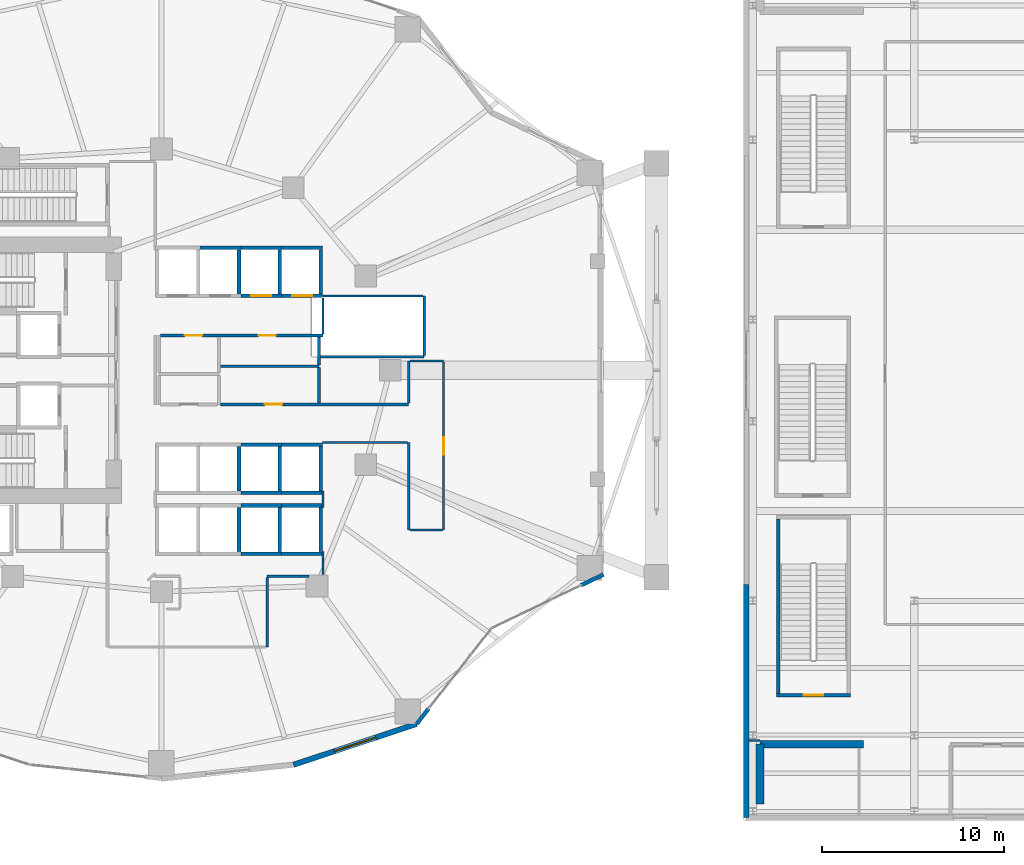
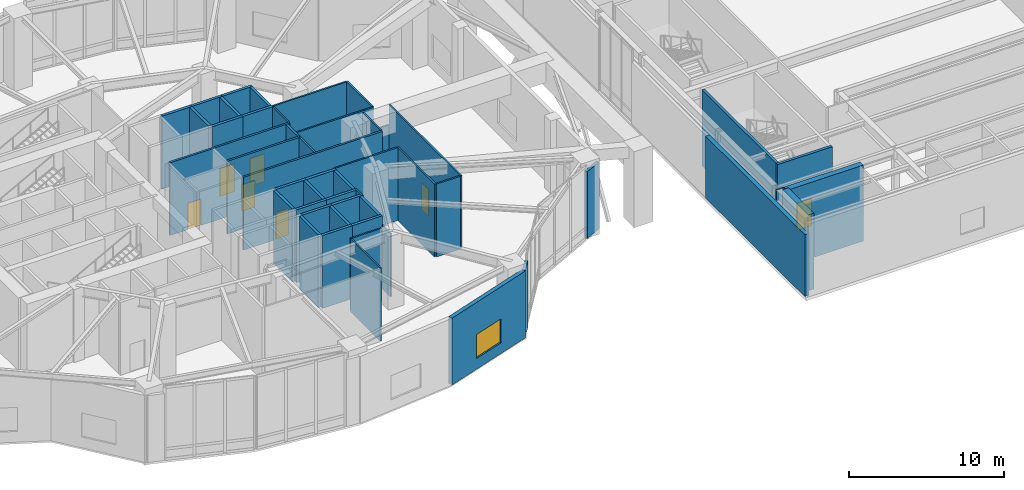
# One storey, part 17 of 25: 50 walls, 7 doors, 1 window, 8 openings.
"""IFC4 building model written with IfcOpenShell, lengths in metres."""

from ifc_helpers import new_model, si_unit, direction, frame, frame_2d, origin, place, context, subcontext, project, spatial, rectangle, extrude, material, layer, layer_set, type_object, element, fill, save


model = new_model("IFC4")

# Units and contexts
model_context = context("Model", 3, precision=1e-05, world=origin(), true_north=direction((0.0, 1.0)))
body_context = subcontext(model_context, "Body", "Model", "MODEL_VIEW")
ifc_project = project(units=[si_unit("LENGTHUNIT", "METRE"), si_unit("AREAUNIT", "SQUARE_METRE"), si_unit("VOLUMEUNIT", "CUBIC_METRE"), si_unit("PLANEANGLEUNIT", "RADIAN"), si_unit("MASSUNIT", "GRAM", prefix="KILO")], contexts=[model_context])

# Site, building, storey
site_placement = place(None, origin())
site = spatial("IfcSite", under=ifc_project, at=site_placement, CompositionType="ELEMENT")
building_placement = place(site_placement, origin())
building = spatial("IfcBuilding", under=site, at=building_placement, Name="Kolvaren Gate Tower and Convention Centre", CompositionType="ELEMENT")
storey_placement = place(building_placement, frame((0.0, 0.0, 15.0)))
storey = spatial("IfcBuildingStorey", under=building, at=storey_placement, Name="L03", CompositionType="ELEMENT", Elevation=15.0)

# Walls
ifc_material_1 = material(Name="Fire-Rated Acoustic Gypsum Stud Partition", Category="gypsum")
ifc_layer_1 = layer(ifc_material_1, 0.1201171875)
ifc_layer_set_1 = layer_set([ifc_layer_1], Name="Fire-Rated Acoustic Gypsum Stud Partition")
wall_type_1 = type_object("IfcWallType", Name="ARCH-WL-PART-120", PredefinedType="PARTITIONING", material=ifc_layer_set_1)
wall_1_placement = place(storey_placement, frame((35.949951171875, 15.64990234375, 0.0), z_axis=(0.0, 0.0, 1.0), x_axis=(1.0, 0.0, 0.0)))
element("IfcWall", 1, at=wall_1_placement, inside=storey, type_object=wall_type_1, Name="Interior Partition WL-L03-INT-023", PredefinedType="PARTITIONING", context=body_context, shape_type="SweptSolid", body=[
    extrude(rectangle(XDim=2.291015625, YDim=0.1201171875, at=frame_2d((1.1455078125, 0.0))), origin(), (0.0, 0.0, 1.0), 5.760009765625),
])
wall_2_placement = place(storey_placement, frame((35.949951171875, 11.75, 0.0), z_axis=(0.0, 0.0, 1.0), x_axis=(0.0, 1.0, 0.0)))
element("IfcWall", 2, at=wall_2_placement, inside=storey, type_object=wall_type_1, Name="Interior Partition WL-L03-INT-024", PredefinedType="PARTITIONING", context=body_context, shape_type="SweptSolid", body=[
    extrude(rectangle(XDim=3.837890625, YDim=0.1201171875, at=frame_2d((1.9189453125, 0.0))), origin(), (0.0, 0.0, 1.0), 5.760009765625),
])
wall_3_placement = place(storey_placement, frame((39.02001953125, 15.741943359375, 0.0), z_axis=(0.0, 0.0, 1.0), x_axis=(0.0, 1.0, 0.0)))
element("IfcWall", 3, at=wall_3_placement, inside=storey, type_object=wall_type_1, Name="Interior Partition WL-L03-INT-031", PredefinedType="PARTITIONING", context=body_context, shape_type="SweptSolid", body=[
    extrude(rectangle(XDim=1.26806640625, YDim=0.1201171875, at=frame_2d((0.634033203125, 0.0))), origin(), (0.0, 0.0, 1.0), 4.993896484375),
])
wall_4_placement = place(storey_placement, frame((39.02001953125, 19.43994140625, 0.0), z_axis=(0.0, 0.0, 1.0), x_axis=(0.0, 1.0, 0.0)))
element("IfcWall", 4, at=wall_4_placement, inside=storey, type_object=wall_type_1, Name="Interior Partition WL-L03-INT-031 (2)", PredefinedType="PARTITIONING", context=body_context, shape_type="SweptSolid", body=[
    extrude(rectangle(XDim=0.920166015625, YDim=0.1201171875, at=frame_2d((0.4599609375, 0.0))), origin(), (0.0, 0.0, 1.0), 5.760009765625),
])
wall_5_placement = place(storey_placement, frame((39.02001953125, 28.9970703125, 0.0), z_axis=(0.0, 0.0, 1.0), x_axis=(0.0, 1.0, 0.0)))
element("IfcWall", 5, at=wall_5_placement, inside=storey, type_object=wall_type_1, Name="Interior Partition WL-L03-INT-032", PredefinedType="PARTITIONING", context=body_context, shape_type="SweptSolid", body=[
    extrude(rectangle(XDim=1.98291015625, YDim=0.1201171875, at=frame_2d((0.991455078125, 0.0))), origin(), (0.0, 0.0, 1.0), 5.760009765625),
])
wall_6_placement = place(storey_placement, frame((43.75, 18.199951171875, 0.0), z_axis=(0.0, 0.0, 1.0), x_axis=(0.0, 1.0, 0.0)))
element("IfcWall", 6, at=wall_6_placement, inside=storey, type_object=wall_type_1, Name="Interior Partition WL-L03-INT-033", PredefinedType="PARTITIONING", context=body_context, shape_type="SweptSolid", body=[
    extrude(rectangle(XDim=4.820068359375, YDim=0.1201171875, at=frame_2d((2.41015625, 0.0))), origin(), (0.0, 0.0, 1.0), 5.760009765625),
])
wall_7_placement = place(storey_placement, frame((43.75, 25.197021484375, 0.0), z_axis=(0.0, 0.0, 1.0), x_axis=(0.0, 1.0, 0.0)))
element("IfcWall", 7, at=wall_7_placement, inside=storey, type_object=wall_type_1, Name="Interior Partition WL-L03-INT-034", PredefinedType="PARTITIONING", context=body_context, shape_type="SweptSolid", body=[
    extrude(rectangle(XDim=2.31298828125, YDim=0.1201171875, at=frame_2d((1.156494140625, 0.0))), origin(), (0.0, 0.0, 1.0), 5.760009765625),
])
wall_8_placement = place(storey_placement, frame((43.81201171875, 27.510009765625, 0.0), z_axis=(0.0, 0.0, 1.0), x_axis=(1.0, 0.0, 0.0)))
element("IfcWall", 8, at=wall_8_placement, inside=storey, type_object=wall_type_1, Name="Interior Partition WL-L03-INT-035", PredefinedType="PARTITIONING", context=body_context, shape_type="SweptSolid", body=[
    extrude(rectangle(XDim=1.85791015625, YDim=0.1201171875, at=frame_2d((0.928955078125, 0.0))), origin(), (0.0, 0.0, 1.0), 4.152099609375),
])

# Wall, opening, door
wall_9_placement = place(storey_placement, frame((45.669921875, 18.199951171875, 0.0), z_axis=(0.0, 0.0, 1.0), x_axis=(0.0, 1.0, 0.0)))
wall_9 = element("IfcWall", 9, at=wall_9_placement, inside=storey, type_object=wall_type_1, Name="Interior Partition WL-L03-INT-036", PredefinedType="PARTITIONING", context=body_context, shape_type="SweptSolid", body=[
    extrude(rectangle(XDim=9.248046875, YDim=0.1201171875, at=frame_2d((4.6240234375, 0.0))), origin(), (0.0, 0.0, 1.0), 5.760009765625),
])
opening_1_placement = place(wall_9_placement, frame((4.14892578125, 0.0, 0.0)))
opening_1 = element("IfcOpeningElement", 10, at=opening_1_placement, cuts=wall_9, Name="Opening DR-01", PredefinedType="OPENING", context=body_context, shape_type="SweptSolid", body=[
    extrude(rectangle(XDim=0.949951171875, YDim=2.10009765625, at=frame_2d((0.47509765625, 1.050048828125))), frame((0.0, 0.070068359375, 0.0), z_axis=(0.0, -1.0, 0.0), x_axis=(1.0, 0.0, 0.0)), (0.0, 0.0, 1.0), 0.14013671875),
])
ifc_material_2 = material(Name="Painted Architectural Steelwork ASTM A500 Grade C 345 MPa", Category="steel")
door_type_1 = type_object("IfcDoorType", Name="ARCH-DR-RISER-950", OperationType="SINGLE_SWING_RIGHT", PredefinedType="DOOR", material=ifc_material_2)
door_1_placement = place(opening_1_placement, origin())
door_1 = element("IfcDoor", 11, at=door_1_placement, inside=storey, type_object=door_type_1, Name="Tower Podium Conference Room A Door", OperationType="SINGLE_SWING_RIGHT", OverallHeight=2.10009765625, OverallWidth=0.949951171875, PredefinedType="DOOR", context=body_context, shape_type="SweptSolid", body=[
    extrude(rectangle(XDim=0.949951171875, YDim=2.10009765625, at=frame_2d((0.47509765625, 1.050048828125))), frame((0.0, 0.02490234375, 0.0), z_axis=(0.0, -1.0, 0.0), x_axis=(1.0, 0.0, 0.0)), (0.0, 0.0, 1.0), 0.050048828125),
])
fill(opening_1, door_1)

# Walls
wall_10_placement = place(storey_placement, frame((43.81201171875, 18.199951171875, 0.0), z_axis=(0.0, 0.0, 1.0), x_axis=(1.0, 0.0, 0.0)))
element("IfcWall", 12, at=wall_10_placement, inside=storey, type_object=wall_type_1, Name="Interior Partition WL-L03-INT-037", PredefinedType="PARTITIONING", context=body_context, shape_type="SweptSolid", body=[
    extrude(rectangle(XDim=1.7958984375, YDim=0.1201171875, at=frame_2d((0.89794921875, 0.0))), origin(), (0.0, 0.0, 1.0), 5.760009765625),
])
wall_11_placement = place(storey_placement, frame((39.0, 23.02001953125, 0.0), z_axis=(0.0, 0.0, 1.0), x_axis=(1.0, 0.0, 0.0)))
element("IfcWall", 13, at=wall_11_placement, inside=storey, type_object=wall_type_1, Name="Interior Partition WL-L03-INT-038", PredefinedType="PARTITIONING", context=body_context, shape_type="SweptSolid", body=[
    extrude(rectangle(XDim=4.68798828125, YDim=0.1201171875, at=frame_2d((2.343994140625, 0.0))), origin(), (0.0, 0.0, 1.0), 5.760009765625),
])
wall_12_placement = place(storey_placement, frame((38.876953125, 27.75, 0.0), z_axis=(0.0, 0.0, 1.0), x_axis=(1.0, 0.0, 0.0)))
element("IfcWall", 14, at=wall_12_placement, inside=storey, type_object=wall_type_1, Name="Interior Partition WL-L03-INT-042", PredefinedType="PARTITIONING", context=body_context, shape_type="SweptSolid", body=[
    extrude(rectangle(XDim=5.72314453125, YDim=0.1201171875, at=frame_2d((2.861572265625, 0.0))), origin(), (0.0, 0.0, 1.0), 5.760009765625),
])
wall_13_placement = place(storey_placement, frame((44.60009765625, 27.81201171875, 0.0), z_axis=(0.0, 0.0, 1.0), x_axis=(0.0, 1.0, 0.0)))
element("IfcWall", 15, at=wall_13_placement, inside=storey, type_object=wall_type_1, Name="Interior Partition WL-L03-INT-043", PredefinedType="PARTITIONING", context=body_context, shape_type="SweptSolid", body=[
    extrude(rectangle(XDim=3.2880859375, YDim=0.1201171875, at=frame_2d((1.64404296875, 0.0))), origin(), (0.0, 0.0, 1.0), 5.760009765625),
])
wall_14_placement = place(storey_placement, frame((39.02001953125, 31.10009765625, 0.0), z_axis=(0.0, 0.0, 1.0), x_axis=(1.0, 0.0, 0.0)))
element("IfcWall", 16, at=wall_14_placement, inside=storey, type_object=wall_type_1, Name="Interior Partition WL-L03-INT-044", PredefinedType="PARTITIONING", context=body_context, shape_type="SweptSolid", body=[
    extrude(rectangle(XDim=5.51806640625, YDim=0.1201171875, at=frame_2d((2.759033203125, 0.0))), origin(), (0.0, 0.0, 1.0), 5.760009765625),
])
wall_15_placement = place(storey_placement, frame((62.501953125, 6.60009765625, 0.0), z_axis=(0.0, 0.0, 1.0), x_axis=(1.0, 0.0, 0.0)))
element("IfcWall", 17, at=wall_15_placement, inside=storey, type_object=wall_type_1, Name="Interior Partition WL-L03-INT-045", PredefinedType="PARTITIONING", context=body_context, shape_type="SweptSolid", body=[
    extrude(rectangle(XDim=0.59814453125, YDim=0.1201171875, at=frame_2d((0.299072265625, 0.0))), origin(), (0.0, 0.0, 1.0), 5.760009765625),
])
ifc_material_3 = material(Name="Bogota Sabana Bush-Hammered Sandstone Cladding", Category="masonry")
ifc_layer_2 = layer(ifc_material_3, 0.219970703125)
ifc_layer_set_2 = layer_set([ifc_layer_2], Name="Bogota Sabana Bush-Hammered Sandstone Cladding")
wall_type_2 = type_object("IfcWallType", Name="ARCH-WL-PIER-220", PredefinedType="SOLIDWALL", material=ifc_layer_set_2)
wall_16_placement = place(storey_placement, frame((44.1875, 7.514404296875, 0.0), z_axis=(0.0, 0.0, 1.0), x_axis=(0.616387780378, 0.787442762492, 0.0)))
element("IfcWall", 18, at=wall_16_placement, inside=storey, type_object=wall_type_2, Name="Tower L03 Unitised Curtain Wall CW-POD-GLZ Bay 20 Left Column Pier Wrap", PredefinedType="SOLIDWALL", context=body_context, shape_type="SweptSolid", body=[
    extrude(rectangle(XDim=1.076171875, YDim=0.219970703125, at=frame_2d((0.5380859375, 0.0))), origin(), (0.0, 0.0, 1.0), 5.282958984375),
])
wall_17_placement = place(storey_placement, frame((53.23681640625, 15.151611328125, 0.0), z_axis=(0.0, 0.0, 1.0), x_axis=(0.901316119915, 0.433161923512, 0.0)))
element("IfcWall", 19, at=wall_17_placement, inside=storey, type_object=wall_type_2, Name="Tower L03 Unitised Curtain Wall CW-POD-GLZ Bay 21 Right Column Pier Wrap", PredefinedType="SOLIDWALL", context=body_context, shape_type="SweptSolid", body=[
    extrude(rectangle(XDim=1.38134765625, YDim=0.219970703125, at=frame_2d((0.690673828125, 0.0))), origin(), (0.0, 0.0, 1.0), 5.282958984375),
])
ifc_material_4 = material(Name="Autoclaved Aerated Masonry Blockwork Class 4 (4.0 MPa)", Category="masonry")
ifc_layer_3 = layer(ifc_material_4, 0.199951171875)
ifc_layer_set_3 = layer_set([ifc_layer_3], Name="Autoclaved Aerated Masonry Blockwork Class 4 (4.0 MPa)")
wall_type_3 = type_object("IfcWallType", Name="ARCH-WL-SHAFT-200", PredefinedType="SOLIDWALL", material=ifc_layer_set_3)
wall_18_placement = place(storey_placement, frame((32.25, 33.75, 0.0), z_axis=(0.0, 0.0, 1.0), x_axis=(1.0, 0.0, 0.0)))
element("IfcWall", 20, at=wall_18_placement, inside=storey, type_object=wall_type_3, Name="Elevator PL-02 L03 Fire Shaft Wall N", PredefinedType="SOLIDWALL", context=body_context, shape_type="SweptSolid", body=[
    extrude(rectangle(XDim=2.25, YDim=0.199951171875, at=frame_2d((1.125, 0.0))), origin(), (0.0, 0.0, 1.0), 5.760009765625),
])
wall_19_placement = place(storey_placement, frame((34.39990234375, 31.2099609375, 0.0), z_axis=(0.0, 0.0, 1.0), x_axis=(0.0, 1.0, 0.0)))
element("IfcWall", 21, at=wall_19_placement, inside=storey, type_object=wall_type_3, Name="Elevator PL-02 L03 Fire Shaft Wall E", PredefinedType="SOLIDWALL", context=body_context, shape_type="SweptSolid", body=[
    extrude(rectangle(XDim=2.429931640625, YDim=0.199951171875, at=frame_2d((1.21484375, 0.0))), origin(), (0.0, 0.0, 1.0), 5.760009765625),
])
wall_20_placement = place(storey_placement, frame((34.5, 33.75, 0.0), z_axis=(0.0, 0.0, 1.0), x_axis=(1.0, 0.0, 0.0)))
element("IfcWall", 22, at=wall_20_placement, inside=storey, type_object=wall_type_3, Name="Elevator PL-03 L03 Fire Shaft Wall N", PredefinedType="SOLIDWALL", context=body_context, shape_type="SweptSolid", body=[
    extrude(rectangle(XDim=2.25, YDim=0.199951171875, at=frame_2d((1.125, 0.0))), origin(), (0.0, 0.0, 1.0), 5.760009765625),
])

# Wall, opening, door
wall_21_placement = place(storey_placement, frame((34.5, 31.10009765625, 0.0), z_axis=(0.0, 0.0, 1.0), x_axis=(1.0, 0.0, 0.0)))
wall_21 = element("IfcWall", 23, at=wall_21_placement, inside=storey, type_object=wall_type_3, Name="Elevator PL-03 L03 Fire Shaft Wall S", PredefinedType="SOLIDWALL", context=body_context, shape_type="SweptSolid", body=[
    extrude(rectangle(XDim=2.25, YDim=0.199951171875, at=frame_2d((1.125, 0.0))), origin(), (0.0, 0.0, 1.0), 5.760009765625),
])
opening_2_placement = place(wall_21_placement, frame((0.574951171875, 0.0, 0.0)))
opening_2 = element("IfcOpeningElement", 24, at=opening_2_placement, cuts=wall_21, Name="Opening LD", PredefinedType="OPENING", context=body_context, shape_type="SweptSolid", body=[
    extrude(rectangle(XDim=1.10009765625, YDim=2.199951171875, at=frame_2d((0.550048828125, 1.10009765625))), frame((0.0, 0.10986328125, 0.0), z_axis=(0.0, -1.0, 0.0), x_axis=(1.0, 0.0, 0.0)), (0.0, 0.0, 1.0), 0.219970703125),
])
ifc_material_5 = material(Name="Brushed Stainless Steel Grade 316L", Category="steel")
door_type_2 = type_object("IfcDoorType", Name="ARCH-DR-LIFT-1100", OperationType="SLIDING_TO_LEFT", PredefinedType="DOOR", material=ifc_material_5)
door_2_placement = place(opening_2_placement, origin())
door_2 = element("IfcDoor", 25, at=door_2_placement, inside=storey, type_object=door_type_2, Name="Elevator PL-03 L03 Sliding Landing Door", OperationType="SLIDING_TO_LEFT", OverallHeight=2.199951171875, OverallWidth=1.10009765625, PredefinedType="DOOR", context=body_context, shape_type="SweptSolid", body=[
    extrude(rectangle(XDim=1.10009765625, YDim=2.199951171875, at=frame_2d((0.550048828125, 1.10009765625))), frame((0.0, 0.02490234375, 0.0), z_axis=(0.0, -1.0, 0.0), x_axis=(1.0, 0.0, 0.0)), (0.0, 0.0, 1.0), 0.050048828125),
])
fill(opening_2, door_2)

# Walls
wall_22_placement = place(storey_placement, frame((36.64990234375, 31.2099609375, 0.0), z_axis=(0.0, 0.0, 1.0), x_axis=(0.0, 1.0, 0.0)))
element("IfcWall", 26, at=wall_22_placement, inside=storey, type_object=wall_type_3, Name="Elevator PL-03 L03 Fire Shaft Wall E", PredefinedType="SOLIDWALL", context=body_context, shape_type="SweptSolid", body=[
    extrude(rectangle(XDim=2.429931640625, YDim=0.199951171875, at=frame_2d((1.21484375, 0.0))), origin(), (0.0, 0.0, 1.0), 5.760009765625),
])
wall_23_placement = place(storey_placement, frame((36.75, 33.75, 0.0), z_axis=(0.0, 0.0, 1.0), x_axis=(1.0, 0.0, 0.0)))
element("IfcWall", 27, at=wall_23_placement, inside=storey, type_object=wall_type_3, Name="Elevator PL-04 L03 Fire Shaft Wall N", PredefinedType="SOLIDWALL", context=body_context, shape_type="SweptSolid", body=[
    extrude(rectangle(XDim=2.25, YDim=0.199951171875, at=frame_2d((1.125, 0.0))), origin(), (0.0, 0.0, 1.0), 5.760009765625),
])

# Wall, opening, door
wall_24_placement = place(storey_placement, frame((36.75, 31.10009765625, 0.0), z_axis=(0.0, 0.0, 1.0), x_axis=(1.0, 0.0, 0.0)))
wall_24 = element("IfcWall", 28, at=wall_24_placement, inside=storey, type_object=wall_type_3, Name="Elevator PL-04 L03 Fire Shaft Wall S", PredefinedType="SOLIDWALL", context=body_context, shape_type="SweptSolid", body=[
    extrude(rectangle(XDim=2.25, YDim=0.199951171875, at=frame_2d((1.125, 0.0))), origin(), (0.0, 0.0, 1.0), 5.760009765625),
])
opening_3_placement = place(wall_24_placement, frame((0.574951171875, 0.0, 0.0)))
opening_3 = element("IfcOpeningElement", 29, at=opening_3_placement, cuts=wall_24, Name="Opening LD", PredefinedType="OPENING", context=body_context, shape_type="SweptSolid", body=[
    extrude(rectangle(XDim=1.10009765625, YDim=2.199951171875, at=frame_2d((0.550048828125, 1.10009765625))), frame((0.0, 0.10986328125, 0.0), z_axis=(0.0, -1.0, 0.0), x_axis=(1.0, 0.0, 0.0)), (0.0, 0.0, 1.0), 0.219970703125),
])
door_3_placement = place(opening_3_placement, origin())
door_3 = element("IfcDoor", 30, at=door_3_placement, inside=storey, type_object=door_type_2, Name="Elevator PL-04 L03 Sliding Landing Door", OperationType="SLIDING_TO_LEFT", OverallHeight=2.199951171875, OverallWidth=1.10009765625, PredefinedType="DOOR", context=body_context, shape_type="SweptSolid", body=[
    extrude(rectangle(XDim=1.10009765625, YDim=2.199951171875, at=frame_2d((0.550048828125, 1.10009765625))), frame((0.0, 0.02490234375, 0.0), z_axis=(0.0, -1.0, 0.0), x_axis=(1.0, 0.0, 0.0)), (0.0, 0.0, 1.0), 0.050048828125),
])
fill(opening_3, door_3)

# Walls
for number, where, z_axis, x_axis, name in (
    (31, (38.89990234375, 31.2099609375, 0.0), (0.0, 0.0, 1.0), (0.0, 1.0, 0.0), "Elevator PL-04 L03 Fire Shaft Wall E"),
    (32, (34.39990234375, 17.010009765625, 0.0), (0.0, 0.0, 1.0), (0.0, 1.0, 0.0), "Elevator PL-06 L03 Fire Shaft Wall E"),
):
    element("IfcWall", number, at=place(storey_placement, frame(where, z_axis=z_axis, x_axis=x_axis)), inside=storey, type_object=wall_type_3, Name=name, PredefinedType="SOLIDWALL", context=body_context, shape_type="SweptSolid", body=[
        extrude(rectangle(XDim=2.429931640625, YDim=0.199951171875, at=frame_2d((1.21484375, 0.0))), origin(), (0.0, 0.0, 1.0), 5.760009765625),
    ])
for number, where, z_axis, x_axis, name in (
    (33, (34.5, 19.550048828125, 0.0), (0.0, 0.0, 1.0), (1.0, 0.0, 0.0), "Elevator PL-07 L03 Fire Shaft Wall N"),
    (34, (34.5, 16.89990234375, 0.0), (0.0, 0.0, 1.0), (1.0, 0.0, 0.0), "Elevator PL-07 L03 Fire Shaft Wall S"),
):
    element("IfcWall", number, at=place(storey_placement, frame(where, z_axis=z_axis, x_axis=x_axis)), inside=storey, type_object=wall_type_3, Name=name, PredefinedType="SOLIDWALL", context=body_context, shape_type="SweptSolid", body=[
        extrude(rectangle(XDim=2.25, YDim=0.199951171875, at=frame_2d((1.125, 0.0))), origin(), (0.0, 0.0, 1.0), 5.760009765625),
    ])
wall_25_placement = place(storey_placement, frame((36.64990234375, 17.010009765625, 0.0), z_axis=(0.0, 0.0, 1.0), x_axis=(0.0, 1.0, 0.0)))
element("IfcWall", 35, at=wall_25_placement, inside=storey, type_object=wall_type_3, Name="Elevator PL-07 L03 Fire Shaft Wall E", PredefinedType="SOLIDWALL", context=body_context, shape_type="SweptSolid", body=[
    extrude(rectangle(XDim=2.429931640625, YDim=0.199951171875, at=frame_2d((1.21484375, 0.0))), origin(), (0.0, 0.0, 1.0), 5.760009765625),
])
for number, where, z_axis, x_axis, name in (
    (36, (36.75, 19.550048828125, 0.0), (0.0, 0.0, 1.0), (1.0, 0.0, 0.0), "Elevator PL-08 L03 Fire Shaft Wall N"),
    (37, (36.75, 16.89990234375, 0.0), (0.0, 0.0, 1.0), (1.0, 0.0, 0.0), "Elevator PL-08 L03 Fire Shaft Wall S"),
):
    element("IfcWall", number, at=place(storey_placement, frame(where, z_axis=z_axis, x_axis=x_axis)), inside=storey, type_object=wall_type_3, Name=name, PredefinedType="SOLIDWALL", context=body_context, shape_type="SweptSolid", body=[
        extrude(rectangle(XDim=2.25, YDim=0.199951171875, at=frame_2d((1.125, 0.0))), origin(), (0.0, 0.0, 1.0), 5.760009765625),
    ])
for number, where, z_axis, x_axis, name in (
    (38, (38.89990234375, 17.010009765625, 0.0), (0.0, 0.0, 1.0), (0.0, 1.0, 0.0), "Elevator PL-08 L03 Fire Shaft Wall E"),
    (39, (34.39990234375, 20.360107421875, 0.0), (0.0, 0.0, 1.0), (0.0, 1.0, 0.0), "Elevator PL-10 L03 Fire Shaft Wall E"),
):
    element("IfcWall", number, at=place(storey_placement, frame(where, z_axis=z_axis, x_axis=x_axis)), inside=storey, type_object=wall_type_3, Name=name, PredefinedType="SOLIDWALL", context=body_context, shape_type="SweptSolid", body=[
        extrude(rectangle(XDim=2.429931640625, YDim=0.199951171875, at=frame_2d((1.21484375, 0.0))), origin(), (0.0, 0.0, 1.0), 5.760009765625),
    ])
for number, where, z_axis, x_axis, name in (
    (40, (34.5, 22.89990234375, 0.0), (0.0, 0.0, 1.0), (1.0, 0.0, 0.0), "Elevator PL-11 L03 Fire Shaft Wall N"),
    (41, (34.5, 20.25, 0.0), (0.0, 0.0, 1.0), (1.0, 0.0, 0.0), "Elevator PL-11 L03 Fire Shaft Wall S"),
):
    element("IfcWall", number, at=place(storey_placement, frame(where, z_axis=z_axis, x_axis=x_axis)), inside=storey, type_object=wall_type_3, Name=name, PredefinedType="SOLIDWALL", context=body_context, shape_type="SweptSolid", body=[
        extrude(rectangle(XDim=2.25, YDim=0.199951171875, at=frame_2d((1.125, 0.0))), origin(), (0.0, 0.0, 1.0), 5.760009765625),
    ])
wall_26_placement = place(storey_placement, frame((36.64990234375, 20.360107421875, 0.0), z_axis=(0.0, 0.0, 1.0), x_axis=(0.0, 1.0, 0.0)))
element("IfcWall", 42, at=wall_26_placement, inside=storey, type_object=wall_type_3, Name="Elevator PL-11 L03 Fire Shaft Wall E", PredefinedType="SOLIDWALL", context=body_context, shape_type="SweptSolid", body=[
    extrude(rectangle(XDim=2.429931640625, YDim=0.199951171875, at=frame_2d((1.21484375, 0.0))), origin(), (0.0, 0.0, 1.0), 5.760009765625),
])
for number, where, z_axis, x_axis, name in (
    (43, (36.75, 22.89990234375, 0.0), (0.0, 0.0, 1.0), (1.0, 0.0, 0.0), "Elevator PL-12 L03 Fire Shaft Wall N"),
    (44, (36.75, 20.25, 0.0), (0.0, 0.0, 1.0), (1.0, 0.0, 0.0), "Elevator PL-12 L03 Fire Shaft Wall S"),
):
    element("IfcWall", number, at=place(storey_placement, frame(where, z_axis=z_axis, x_axis=x_axis)), inside=storey, type_object=wall_type_3, Name=name, PredefinedType="SOLIDWALL", context=body_context, shape_type="SweptSolid", body=[
        extrude(rectangle(XDim=2.25, YDim=0.199951171875, at=frame_2d((1.125, 0.0))), origin(), (0.0, 0.0, 1.0), 5.760009765625),
    ])
wall_27_placement = place(storey_placement, frame((38.89990234375, 20.360107421875, 0.0), z_axis=(0.0, 0.0, 1.0), x_axis=(0.0, 1.0, 0.0)))
element("IfcWall", 45, at=wall_27_placement, inside=storey, type_object=wall_type_3, Name="Elevator PL-12 L03 Fire Shaft Wall E", PredefinedType="SOLIDWALL", context=body_context, shape_type="SweptSolid", body=[
    extrude(rectangle(XDim=2.429931640625, YDim=0.199951171875, at=frame_2d((1.21484375, 0.0))), origin(), (0.0, 0.0, 1.0), 5.760009765625),
])

# Wall, opening, window
ifc_material_6 = material(Name="Piedmont Cream Honed Limestone Cladding", Category="masonry")
ifc_layer_4 = layer(ifc_material_6, 0.300048828125)
ifc_layer_set_4 = layer_set([ifc_layer_4], Name="Piedmont Cream Honed Limestone Cladding")
wall_type_4 = type_object("IfcWallType", Name="ARCH-WL-STONE-300", PredefinedType="SOLIDWALL", material=ifc_layer_set_4)
wall_28_placement = place(storey_placement, frame((37.404296875, 5.2666015625, 0.0), z_axis=(0.0, 0.0, 1.0), x_axis=(0.949238715533, 0.31455661006, 0.0)))
wall_28 = element("IfcWall", 46, at=wall_28_placement, inside=storey, type_object=wall_type_4, Name="Tower L03 Honed Stone Spandrel Wall EW-19", PredefinedType="SOLIDWALL", context=body_context, shape_type="SweptSolid", body=[
    extrude(rectangle(XDim=7.14599609375, YDim=0.300048828125, at=frame_2d((3.572998046875, 0.0))), origin(), (0.0, 0.0, 1.0), 5.282958984375),
])
opening_4_placement = place(wall_28_placement, frame((2.373046875, 0.0, 0.85009765625)))
opening_4 = element("IfcOpeningElement", 47, at=opening_4_placement, cuts=wall_28, Name="Opening W-01", PredefinedType="OPENING", context=body_context, shape_type="SweptSolid", body=[
    extrude(rectangle(XDim=2.39990234375, YDim=1.89990234375, at=frame_2d((1.199951171875, 0.949951171875))), frame((0.0, 0.159912109375, 0.0), z_axis=(0.0, -1.0, 0.0), x_axis=(1.0, 0.0, 0.0)), (0.0, 0.0, 1.0), 0.320068359375),
])
ifc_material_7 = material(Name="Low-E Triple Insulated Glazing Unit 44 mm", Category="glass")
window_type = type_object("IfcWindowType", Name="ARCH-WN-OFF-2400", PartitioningType="SINGLE_PANEL", PredefinedType="WINDOW", material=ifc_material_7)
window_placement = place(opening_4_placement, origin())
window = element("IfcWindow", 48, at=window_placement, inside=storey, type_object=window_type, Name="Tower L03 Punched Stone Facade Window W-19", OverallHeight=1.89990234375, OverallWidth=2.39990234375, PartitioningType="SINGLE_PANEL", PredefinedType="WINDOW", context=body_context, shape_type="SweptSolid", body=[
    extrude(rectangle(XDim=2.39990234375, YDim=1.89990234375, at=frame_2d((1.199951171875, 0.949951171875))), frame((0.0, 0.030029296875, 0.0), z_axis=(0.0, -1.0, 0.0), x_axis=(1.0, 0.0, 0.0)), (0.0, 0.0, 1.0), 0.06005859375),
])
fill(opening_4, window)

# Wall
wall_29_placement = place(storey_placement, frame((62.35009765625, 2.35009765625, 0.0), z_axis=(0.0, 0.0, 1.0), x_axis=(0.0, 1.0, 0.0)))
element("IfcWall", 49, at=wall_29_placement, inside=storey, type_object=wall_type_4, Name="Convention L03 W Stone Wing Wall South", PredefinedType="SOLIDWALL", context=body_context, shape_type="SweptSolid", body=[
    extrude(rectangle(XDim=12.849853515625, YDim=0.300048828125, at=frame_2d((6.4248046875, 0.0))), origin(), (0.0, 0.0, 1.0), 4.89697265625),
])

# Wall, openings, doors
ifc_material_8 = material(Name="Moisture-Resistant Cement-Board Acoustic Partition", Category="gypsum")
ifc_layer_5 = layer(ifc_material_8, 0.14990234375)
ifc_layer_set_5 = layer_set([ifc_layer_5], Name="Moisture-Resistant Cement-Board Acoustic Partition")
wall_type_5 = type_object("IfcWallType", Name="ARCH-WL-WET-150", PredefinedType="PARTITIONING", material=ifc_layer_set_5)
wall_30_placement = place(storey_placement, frame((30.076904296875, 28.919921875, 0.0), z_axis=(0.0, 0.0, 1.0), x_axis=(1.0, 0.0, 0.0)))
wall_30 = element("IfcWall", 50, at=wall_30_placement, inside=storey, type_object=wall_type_5, Name="Interior Partition WL-L03-INT-017", PredefinedType="PARTITIONING", context=body_context, shape_type="SweptSolid", body=[
    extrude(rectangle(XDim=8.943115234375, YDim=0.14990234375, at=frame_2d((4.4716796875, 0.0))), origin(), (0.0, 0.0, 1.0), 5.760009765625),
])
opening_5_placement = place(wall_30_placement, frame((1.341552734375, 0.0, 0.0)))
opening_5 = element("IfcOpeningElement", 51, at=opening_5_placement, cuts=wall_30, Name="Opening DR-01", PredefinedType="OPENING", context=body_context, shape_type="SweptSolid", body=[
    extrude(rectangle(XDim=0.949951171875, YDim=2.10009765625, at=frame_2d((0.47509765625, 1.050048828125))), frame((0.0, 0.0849609375, 0.0), z_axis=(0.0, -1.0, 0.0), x_axis=(1.0, 0.0, 0.0)), (0.0, 0.0, 1.0), 0.169921875),
])
opening_6_placement = place(wall_30_placement, frame((5.403076171875, 0.0, 0.0)))
opening_6 = element("IfcOpeningElement", 52, at=opening_6_placement, cuts=wall_30, Name="Opening DR-01", PredefinedType="OPENING", context=body_context, shape_type="SweptSolid", body=[
    extrude(rectangle(XDim=0.949951171875, YDim=2.10009765625, at=frame_2d((0.47509765625, 1.050048828125))), frame((0.0, 0.0849609375, 0.0), z_axis=(0.0, -1.0, 0.0), x_axis=(1.0, 0.0, 0.0)), (0.0, 0.0, 1.0), 0.169921875),
])
door_4_placement = place(opening_5_placement, origin())
door_4 = element("IfcDoor", 53, at=door_4_placement, inside=storey, type_object=door_type_1, Name="Accessible North Washroom Door", OperationType="SINGLE_SWING_RIGHT", OverallHeight=2.10009765625, OverallWidth=0.949951171875, PredefinedType="DOOR", context=body_context, shape_type="SweptSolid", body=[
    extrude(rectangle(XDim=0.949951171875, YDim=2.10009765625, at=frame_2d((0.47509765625, 1.050048828125))), frame((0.0, 0.02490234375, 0.0), z_axis=(0.0, -1.0, 0.0), x_axis=(1.0, 0.0, 0.0)), (0.0, 0.0, 1.0), 0.050048828125),
])
fill(opening_5, door_4)
door_5_placement = place(opening_6_placement, origin())
door_5 = element("IfcDoor", 54, at=door_5_placement, inside=storey, type_object=door_type_1, Name="Floor Janitor and Supply Store Door", OperationType="SINGLE_SWING_RIGHT", OverallHeight=2.10009765625, OverallWidth=0.949951171875, PredefinedType="DOOR", context=body_context, shape_type="SweptSolid", body=[
    extrude(rectangle(XDim=0.949951171875, YDim=2.10009765625, at=frame_2d((0.47509765625, 1.050048828125))), frame((0.0, 0.02490234375, 0.0), z_axis=(0.0, -1.0, 0.0), x_axis=(1.0, 0.0, 0.0)), (0.0, 0.0, 1.0), 0.050048828125),
])
fill(opening_6, door_5)

# Wall, opening, door
wall_31_placement = place(storey_placement, frame((33.376953125, 25.1201171875, 0.0), z_axis=(0.0, 0.0, 1.0), x_axis=(1.0, 0.0, 0.0)))
wall_31 = element("IfcWall", 55, at=wall_31_placement, inside=storey, type_object=wall_type_5, Name="Interior Partition WL-L03-INT-019 (2)", PredefinedType="PARTITIONING", context=body_context, shape_type="SweptSolid", body=[
    extrude(rectangle(XDim=10.373046875, YDim=0.14990234375, at=frame_2d((5.1865234375, 0.0))), origin(), (0.0, 0.0, 1.0), 5.760009765625),
])
opening_7_placement = place(wall_31_placement, frame((2.44140625, 0.0, 0.0)))
opening_7 = element("IfcOpeningElement", 56, at=opening_7_placement, cuts=wall_31, Name="Opening DR-01", PredefinedType="OPENING", context=body_context, shape_type="SweptSolid", body=[
    extrude(rectangle(XDim=0.949951171875, YDim=2.10009765625, at=frame_2d((0.47509765625, 1.050048828125))), frame((0.0, 0.0849609375, 0.0), z_axis=(0.0, -1.0, 0.0), x_axis=(1.0, 0.0, 0.0)), (0.0, 0.0, 1.0), 0.169921875),
])
door_6_placement = place(opening_7_placement, origin())
door_6 = element("IfcDoor", 57, at=door_6_placement, inside=storey, type_object=door_type_1, Name="Floor Coffee Pantry Door", OperationType="SINGLE_SWING_LEFT", OverallHeight=2.10009765625, OverallWidth=0.949951171875, PredefinedType="DOOR", context=body_context, shape_type="SweptSolid", body=[
    extrude(rectangle(XDim=0.949951171875, YDim=2.10009765625, at=frame_2d((0.47509765625, 1.050048828125))), frame((0.0, 0.02490234375, 0.0), z_axis=(0.0, -1.0, 0.0), x_axis=(1.0, 0.0, 0.0)), (0.0, 0.0, 1.0), 0.050048828125),
])
fill(opening_7, door_6)

# Walls
wall_32_placement = place(storey_placement, frame((33.376953125, 27.219970703125, 0.0), z_axis=(0.0, 0.0, 1.0), x_axis=(1.0, 0.0, 0.0)))
element("IfcWall", 58, at=wall_32_placement, inside=storey, type_object=wall_type_5, Name="Interior Partition WL-L03-INT-020", PredefinedType="PARTITIONING", context=body_context, shape_type="SweptSolid", body=[
    extrude(rectangle(XDim=5.423095703125, YDim=0.14990234375, at=frame_2d((2.71142578125, 0.0))), origin(), (0.0, 0.0, 1.0), 5.760009765625),
])
wall_33_placement = place(storey_placement, frame((38.800048828125, 25.197021484375, 0.0), z_axis=(0.0, 0.0, 1.0), x_axis=(0.0, 1.0, 0.0)))
element("IfcWall", 59, at=wall_33_placement, inside=storey, type_object=wall_type_5, Name="Interior Partition WL-L03-INT-021", PredefinedType="PARTITIONING", context=body_context, shape_type="SweptSolid", body=[
    extrude(rectangle(XDim=1.946044921875, YDim=0.14990234375, at=frame_2d((0.97314453125, 0.0))), origin(), (0.0, 0.0, 1.0), 5.760009765625),
])
wall_34_placement = place(storey_placement, frame((38.800048828125, 27.297119140625, 0.0), z_axis=(0.0, 0.0, 1.0), x_axis=(0.0, 1.0, 0.0)))
element("IfcWall", 60, at=wall_34_placement, inside=storey, type_object=wall_type_5, Name="Interior Partition WL-L03-INT-021 (2)", PredefinedType="PARTITIONING", context=body_context, shape_type="SweptSolid", body=[
    extrude(rectangle(XDim=1.5458984375, YDim=0.14990234375, at=frame_2d((0.77294921875, 0.0))), origin(), (0.0, 0.0, 1.0), 5.760009765625),
])
ifc_material_9 = material(Name="Concrete C50/60", Category="concrete")
ifc_layer_6 = layer(ifc_material_9, 0.419921875)
ifc_layer_set_6 = layer_set([ifc_layer_6], Name="Concrete C50/60")
wall_type_6 = type_object("IfcWallType", Name="STR-WL-CONV-420", PredefinedType="SHEAR", material=ifc_layer_set_6)
wall_35_placement = place(storey_placement, frame((63.10009765625, 3.10009765625, -0.239990234375), z_axis=(0.0, 0.0, 1.0), x_axis=(0.0, 1.0, 0.0)))
element("IfcWall", 61, at=wall_35_placement, inside=storey, type_object=wall_type_6, Name="Convention L03 Shear Core Wall CCSW-W", PredefinedType="SHEAR", context=body_context, shape_type="SweptSolid", body=[
    extrude(rectangle(XDim=3.2998046875, YDim=0.419921875, at=frame_2d((1.64990234375, 0.0))), origin(), (0.0, 0.0, 1.0), 6.0),
])
wall_36_placement = place(storey_placement, frame((63.10009765625, 6.39990234375, -0.239990234375), z_axis=(0.0, 0.0, 1.0), x_axis=(1.0, 0.0, 0.0)))
element("IfcWall", 62, at=wall_36_placement, inside=storey, type_object=wall_type_6, Name="Convention L03 Shear Core Wall CCSW-N", PredefinedType="SHEAR", context=body_context, shape_type="SweptSolid", body=[
    extrude(rectangle(XDim=5.699951171875, YDim=0.419921875, at=frame_2d((2.85009765625, 0.0))), origin(), (0.0, 0.0, 1.0), 6.0),
])

# Wall, opening, door
ifc_layer_7 = layer(ifc_material_9, 0.199951171875)
ifc_layer_set_7 = layer_set([ifc_layer_7], Name="Concrete C50/60")
wall_type_7 = type_object("IfcWallType", Name="STR-WL-SHAFT-200", PredefinedType="SHEAR", material=ifc_layer_set_7)
wall_37_placement = place(storey_placement, frame((64.0, 9.10009765625, -0.239990234375), z_axis=(0.0, 0.0, 1.0), x_axis=(1.0, 0.0, 0.0)))
wall_37 = element("IfcWall", 63, at=wall_37_placement, inside=storey, type_object=wall_type_7, Name="Convention SW Exit Stair ST-C2 L03 Structural Shear Enclosure Wall NEAR", PredefinedType="SHEAR", context=body_context, shape_type="SweptSolid", body=[
    extrude(rectangle(XDim=4.10009765625, YDim=0.199951171875, at=frame_2d((2.050048828125, 0.0))), origin(), (0.0, 0.0, 1.0), 6.0),
])
opening_8_placement = place(wall_37_placement, frame((1.5, 0.0, 0.239990234375)))
opening_8 = element("IfcOpeningElement", 64, at=opening_8_placement, cuts=wall_37, Name="Opening DS-01", PredefinedType="OPENING", context=body_context, shape_type="SweptSolid", body=[
    extrude(rectangle(XDim=1.10009765625, YDim=2.14990234375, at=frame_2d((0.550048828125, 1.074951171875))), frame((0.0, 0.10986328125, 0.0), z_axis=(0.0, -1.0, 0.0), x_axis=(1.0, 0.0, 0.0)), (0.0, 0.0, 1.0), 0.219970703125),
])
door_type_3 = type_object("IfcDoorType", Name="ARCH-DR-STAIR-1100", OperationType="SINGLE_SWING_LEFT", PredefinedType="DOOR", material=ifc_material_2)
door_7_placement = place(opening_8_placement, origin())
door_7 = element("IfcDoor", 65, at=door_7_placement, inside=storey, type_object=door_type_3, Name="Convention SW Exit Stair ST-C2 L03 Fire Exit Stair Door", OperationType="SINGLE_SWING_LEFT", OverallHeight=2.14990234375, OverallWidth=1.10009765625, PredefinedType="DOOR", context=body_context, shape_type="SweptSolid", body=[
    extrude(rectangle(XDim=1.10009765625, YDim=2.14990234375, at=frame_2d((0.550048828125, 1.074951171875))), frame((0.0, 0.02490234375, 0.0), z_axis=(0.0, -1.0, 0.0), x_axis=(1.0, 0.0, 0.0)), (0.0, 0.0, 1.0), 0.050048828125),
])
fill(opening_8, door_7)

# Wall
wall_38_placement = place(storey_placement, frame((64.10009765625, 9.201904296875, -0.239990234375), z_axis=(0.0, 0.0, 1.0), x_axis=(0.0, 1.0, 0.0)))
element("IfcWall", 66, at=wall_38_placement, inside=storey, type_object=wall_type_7, Name="Convention SW Exit Stair ST-C2 L03 Structural Shear Enclosure Wall WEST", PredefinedType="SHEAR", context=body_context, shape_type="SweptSolid", body=[
    extrude(rectangle(XDim=9.59619140625, YDim=0.199951171875, at=frame_2d((4.798095703125, 0.0))), origin(), (0.0, 0.0, 1.0), 6.0),
])

save(model, "model.ifc")
